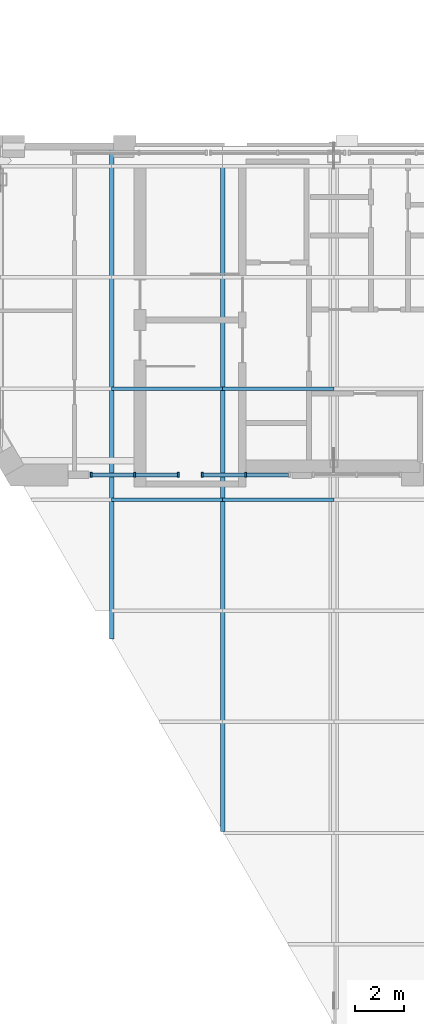
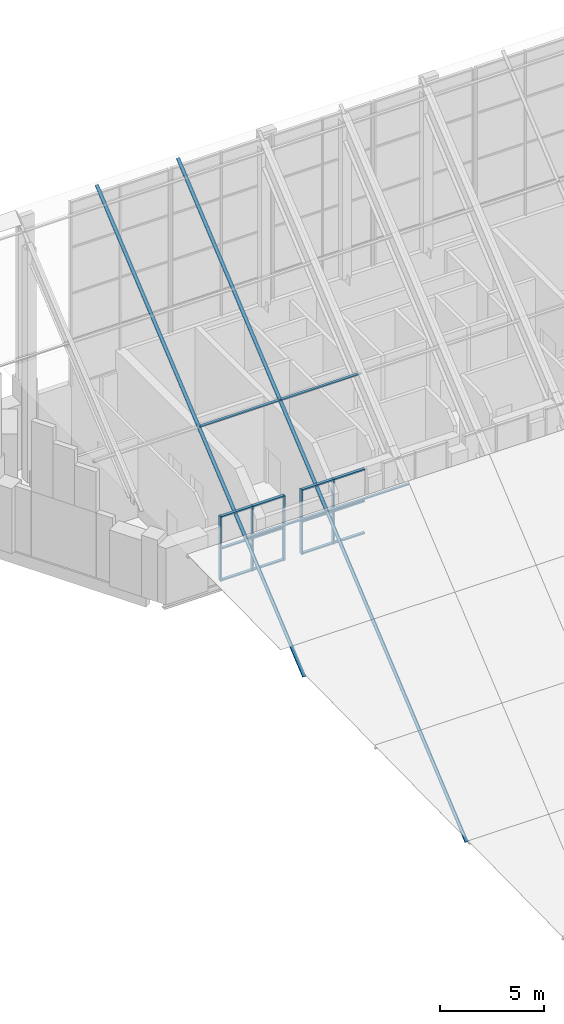
# One storey, part 2 of 19: 23 members, 4 elements without a shape of their own.
"""IFC4 building model written with IfcOpenShell, lengths in metres."""

import ifcopenshell
import ifcopenshell.guid

model = None  # the IFC model being written
_history = None  # IfcOwnerHistory: only IFC2X3 demands one
_inside = {}  # id of a spatial element -> (the spatial element, [elements in it])
_under = {}  # id of a project, library or spatial element -> (it, [spatial elements below it])
_declared = {}  # id of a project -> (the project, [libraries it declares])
_typed = {}  # id of a type object -> (the type object, [elements of that type])
_made_of = {}  # id of a material, layer set ... -> (it, [elements and type objects made of it])


def new_model(schema):
    """Start an empty IFC model of exactly this schema.

    Asked for "IFC4X3", IfcOpenShell would pick the latest addendum, in which some entities
    have other attributes; the version numbers below select the first issue.
    IFC2X3 requires an IfcOwnerHistory on every rooted entity: one is made here for all.
    """
    global model, _history
    if schema == "IFC4X3":
        model = ifcopenshell.file(schema_version=(4, 3, 0, 0))
    else:
        model = ifcopenshell.file(schema=schema)
    _inside.clear()
    _under.clear()
    _declared.clear()
    _typed.clear()
    _made_of.clear()
    _history = None
    if model.schema == "IFC2X3":
        org = make("IfcOrganization", Name="unknown")
        user = make(
            "IfcPersonAndOrganization",
            ThePerson=make("IfcPerson", FamilyName="unknown"),
            TheOrganization=org,
        )
        app = make(
            "IfcApplication",
            ApplicationDeveloper=org,
            Version="unknown",
            ApplicationFullName="unknown",
            ApplicationIdentifier="unknown",
        )
        _history = make(
            "IfcOwnerHistory",
            OwningUser=user,
            OwningApplication=app,
            ChangeAction="ADDED",
            CreationDate=0,
        )
    return model


def make(cls, **values):
    """One entity of the class cls with the attributes given. An attribute that is None is left unset."""
    return model.create_entity(
        cls, **{name: value for name, value in values.items() if value is not None}
    )


def rooted(cls, **values):
    """An entity with a GlobalId (a new one), such as an element, a storey or a relation."""
    return make(cls, GlobalId=ifcopenshell.guid.new(), OwnerHistory=_history, **values)


def si_unit(unit_type, name, prefix=None):
    """IfcSIUnit, for example si_unit("LENGTHUNIT", "METRE", prefix="MILLI")."""
    return make("IfcSIUnit", UnitType=unit_type, Prefix=prefix, Name=name)


def assignment(units):
    """IfcUnitAssignment: the units of a project."""
    return None if units is None else make("IfcUnitAssignment", Units=units)


def point(xyz):
    """IfcCartesianPoint."""
    return None if xyz is None else make("IfcCartesianPoint", Coordinates=xyz)


def direction(xyz):
    """IfcDirection."""
    return None if xyz is None else make("IfcDirection", DirectionRatios=xyz)


def frame(location, z_axis=None, x_axis=None):
    """IfcAxis2Placement3D, a coordinate frame: its origin and axes. An axis left out is left unset."""
    return make(
        "IfcAxis2Placement3D",
        Location=point(location),
        Axis=direction(z_axis),
        RefDirection=direction(x_axis),
    )


def frame_2d(location, x_axis=None):
    """IfcAxis2Placement2D, a coordinate frame in the plane: its origin and x axis."""
    return make(
        "IfcAxis2Placement2D", Location=point(location), RefDirection=direction(x_axis)
    )


def origin():
    """The frame at (0, 0, 0) with its axes left unset."""
    return frame((0.0, 0.0, 0.0))


def origin_2d():
    """The frame at (0, 0) in the plane with its x axis left unset."""
    return frame_2d((0.0, 0.0))


def place(relative_to, where):
    """IfcLocalPlacement: puts the frame where relative to a parent placement (None: the world)."""
    return make(
        "IfcLocalPlacement", PlacementRelTo=relative_to, RelativePlacement=where
    )


def context(
    kind, dimensions, precision=None, world=None, true_north=None, identifier=None
):
    """IfcGeometricRepresentationContext, for example the 3D "Model" context."""
    return make(
        "IfcGeometricRepresentationContext",
        ContextIdentifier=identifier,
        ContextType=kind,
        CoordinateSpaceDimension=dimensions,
        Precision=precision,
        WorldCoordinateSystem=world,
        TrueNorth=true_north,
    )


def subcontext(parent, identifier, kind, view, scale=None):
    """IfcGeometricRepresentationSubContext, for example "Body" below "Model"."""
    return make(
        "IfcGeometricRepresentationSubContext",
        ContextIdentifier=identifier,
        ContextType=kind,
        ParentContext=parent,
        TargetScale=scale,
        TargetView=view,
    )


def project(units=None, contexts=None):
    """IfcProject with its units and contexts."""
    return rooted(
        "IfcProject",
        Name="project",
        RepresentationContexts=contexts,
        UnitsInContext=assignment(units),
    )


def spatial(cls, under=None, at=None, **own):
    """A site, building, storey or space (cls), placed at a placement, below another one or the project."""
    s = rooted(cls, ObjectPlacement=at, **own)
    if under is not None:
        _under.setdefault(under.id(), (under, []))[1].append(s)
    return s


def profile(cls, at=None, kind="AREA", **sizes):
    """A parametric profile (cls). Its sizes go by their IFC names, for example OverallWidth=200.0."""
    return make(cls, ProfileType=kind, Position=at, **sizes)


def rectangle(**sizes):
    """IfcRectangleProfileDef."""
    return profile("IfcRectangleProfileDef", **sizes)


def extrude(swept, where, along, depth):
    """IfcExtrudedAreaSolid: the profile swept, set in the frame where, extruded along a direction by depth."""
    return make(
        "IfcExtrudedAreaSolid",
        SweptArea=swept,
        Position=where,
        ExtrudedDirection=direction(along),
        Depth=depth,
    )


def shape(context_of_items, identifier, shape_type, items):
    """IfcShapeRepresentation: the items that make up one representation, for example the "Body"."""
    return make(
        "IfcShapeRepresentation",
        ContextOfItems=context_of_items,
        RepresentationIdentifier=identifier,
        RepresentationType=shape_type,
        Items=items,
    )


def material(Name=None, Category=None):
    """IfcMaterial."""
    return make("IfcMaterial", Name=Name, Category=Category)


def material_profile(
    of_material, cross_section, Name=None, Category=None, Priority=None
):
    """IfcMaterialProfile: a cross section and its material."""
    return make(
        "IfcMaterialProfile",
        Name=Name,
        Material=of_material,
        Profile=cross_section,
        Priority=Priority,
        Category=Category,
    )


def profile_set(profiles, Name=None, composite=None):
    """IfcMaterialProfileSet."""
    return make(
        "IfcMaterialProfileSet",
        Name=Name,
        MaterialProfiles=profiles,
        CompositeProfile=composite,
    )


def made_of(thing, what):
    """Note that an element or type object is made of a material, layer set ...; save() writes the relation."""
    if what is not None:
        _made_of.setdefault(what.id(), (what, []))[1].append(thing)
    return thing


def type_object(cls, material=None, **own):
    """A type object (cls), such as IfcWallType, which elements share."""
    return made_of(rooted(cls, **own), material)


def element(
    cls,
    number,
    at=None,
    inside=None,
    cuts=None,
    type_object=None,
    material=None,
    context=None,
    identifier="Body",
    shape_type=None,
    held_by="IfcProductDefinitionShape",
    body=None,
    shapes=None,
    **own,
):
    """One element of the class cls, such as IfcWall. Its Tag is "e" and its number.

    at: its placement. inside: the storey or other place that contains it. cuts: it is an
    opening in that element (IfcRelVoidsElement). A single representation is given by context,
    identifier, shape_type and body (its items); several are given by shapes. held_by: the class
    of the entity that holds the representations. save() writes the other relations.
    """
    e = rooted(cls, Tag="e%d" % number, ObjectPlacement=at, **own)
    if body is not None:
        shapes = [shape(context, identifier, shape_type, body)]
    if shapes is not None:
        e.Representation = make(held_by, Representations=shapes)
    if inside is not None:
        _inside.setdefault(inside.id(), (inside, []))[1].append(e)
    if cuts is not None:
        rooted(
            "IfcRelVoidsElement", RelatingBuildingElement=cuts, RelatedOpeningElement=e
        )
    if type_object is not None:
        _typed.setdefault(type_object.id(), (type_object, []))[1].append(e)
    return made_of(e, material)


def aggregate(whole, parts):
    """IfcRelAggregates: a whole, such as a stair, and the parts it consists of."""
    return rooted("IfcRelAggregates", RelatingObject=whole, RelatedObjects=parts)


def save(model, path):
    """Write the relations noted so far, then the file.

    IfcRelAggregates (storeys below a building ...), IfcRelContainedInSpatialStructure (elements
    in a storey), IfcRelDefinesByType, IfcRelAssociatesMaterial and IfcRelDeclares: one each for
    every whole, place, type object, material and project.
    """
    for whole, parts in _under.values():
        aggregate(whole, parts)
    for where, things in _inside.values():
        rooted(
            "IfcRelContainedInSpatialStructure",
            RelatedElements=things,
            RelatingStructure=where,
        )
    for kind, things in _typed.values():
        rooted("IfcRelDefinesByType", RelatedObjects=things, RelatingType=kind)
    for what, things in _made_of.values():
        rooted("IfcRelAssociatesMaterial", RelatedObjects=things, RelatingMaterial=what)
    for by, libraries in _declared.values():
        rooted("IfcRelDeclares", RelatingContext=by, RelatedDefinitions=libraries)
    model.write(path)


model = new_model("IFC4")

# Units and contexts
model_context = context("Model", 3, precision=1e-05, world=origin(), true_north=direction((0.0, 1.0)))
body_context = subcontext(model_context, "Body", "Model", "MODEL_VIEW")
ifc_project = project(units=[si_unit("LENGTHUNIT", "METRE"), si_unit("AREAUNIT", "SQUARE_METRE"), si_unit("VOLUMEUNIT", "CUBIC_METRE"), si_unit("PLANEANGLEUNIT", "RADIAN"), si_unit("MASSUNIT", "GRAM", prefix="KILO")], contexts=[model_context])

# Site, building, storey
site_placement = place(None, origin())
site = spatial("IfcSite", under=ifc_project, at=site_placement, CompositionType="ELEMENT")
building_placement = place(site_placement, origin())
building = spatial("IfcBuilding", under=site, at=building_placement, Name="Calabash Gate Tower", CompositionType="ELEMENT")
storey_placement = place(building_placement, frame((0.0, 0.0, 335.5)))
storey = spatial("IfcBuildingStorey", under=building, at=storey_placement, Name="L78", CompositionType="ELEMENT", Elevation=335.5)

# Curtain wall, member
ifc_material_1 = material(Name="Anodised aluminium frame, bronze finish, clear laminated low-emissivity glazing", Category="aluminium")
curtain_wall_type_1 = type_object("IfcCurtainWallType", Name="Curtain wall CWC crown roof glazing", PredefinedType="NOTDEFINED", material=ifc_material_1)
curtain_wall_1_placement = place(storey_placement, origin())
curtain_wall_1 = element("IfcCurtainWall", 1, at=curtain_wall_1_placement, inside=storey, type_object=curtain_wall_type_1, Name="Curtain wall CWC roof glazing strip 3", PredefinedType="NOTDEFINED")
ifc_material_2 = material(Name="Anodised aluminium frame, bronze finish", Category="aluminium")
ifc_material_profile_1 = material_profile(ifc_material_2, rectangle(XDim=0.179931640625, YDim=0.06494140625, at=origin_2d()))
ifc_profile_set_1 = profile_set([ifc_material_profile_1], Name="Anodised aluminium frame, bronze finish")
member_type_1 = type_object("IfcMemberType", Name="Mullion CWC 65x180", PredefinedType="MULLION", material=ifc_profile_set_1)
member_1_placement = place(storey_placement, frame((-13.5, -0.8828125, -1.88671875), z_axis=(0.0, 0.766042966661, 0.642789369257), x_axis=(-1.0, 0.0, 0.0)))
member_1 = element("IfcMember", 2, at=member_1_placement, type_object=member_type_1, Name="CWC roof mullion 3.1", PredefinedType="MULLION", context=body_context, shape_type="SweptSolid", body=[
    extrude(rectangle(XDim=0.179931640625, YDim=0.06494140625, at=origin_2d()), origin(), (0.0, 0.0, 1.0), 26.023681640625),
])

curtain_wall_2_placement = place(storey_placement, origin())
curtain_wall_2 = element("IfcCurtainWall", 3, at=curtain_wall_2_placement, inside=storey, type_object=curtain_wall_type_1, Name="Curtain wall CWC roof glazing strip 4", PredefinedType="NOTDEFINED")
member_2_placement = place(storey_placement, frame((-9.0, -8.677001953125, -8.4267578125), z_axis=(0.0, 0.766044230935, 0.642787862557), x_axis=(-1.0, 0.0, 0.0)))
member_2 = element("IfcMember", 4, at=member_2_placement, type_object=member_type_1, Name="CWC roof mullion 4.1", PredefinedType="MULLION", context=body_context, shape_type="SweptSolid", body=[
    extrude(rectangle(XDim=0.179931640625, YDim=0.06494140625, at=origin_2d()), origin(), (0.0, 0.0, 1.0), 36.1982421875),
])

# Curtain wall, members
ifc_material_3 = material(Name="Anodised aluminium frame, bronze finish, clear laminated impact-rated glazing", Category="aluminium")
curtain_wall_type_2 = type_object("IfcCurtainWallType", Name="Curtain wall CWV crown wall", PredefinedType="NOTDEFINED", material=ifc_material_3)
curtain_wall_3_placement = place(storey_placement, origin())
curtain_wall_3 = element("IfcCurtainWall", 5, at=curtain_wall_3_placement, inside=storey, type_object=curtain_wall_type_2, Name="Curtain wall CWV L78 crown1.1", PredefinedType="NOTDEFINED")
ifc_material_4 = material(Name="Anodised aluminium frame, bronze finish", Category="aluminium")
ifc_material_profile_2 = material_profile(ifc_material_4, rectangle(XDim=0.199951171875, YDim=0.074951171875, at=origin_2d()))
ifc_profile_set_2 = profile_set([ifc_material_profile_2], Name="Anodised aluminium frame, bronze finish")
member_type_2 = type_object("IfcMemberType", Name="Mullion CWV 75x200", PredefinedType="MULLION", material=ifc_profile_set_2)
member_3_placement = place(storey_placement, frame((-14.32666015625, 5.75439453125, 0.0), z_axis=(0.0, 0.0, 1.0), x_axis=(0.0, 1.0, 0.0)))
member_3 = element("IfcMember", 6, at=member_3_placement, type_object=member_type_2, Name="CWV mullion 1", PredefinedType="MULLION", context=body_context, shape_type="SweptSolid", body=[
    extrude(rectangle(XDim=0.199951171875, YDim=0.074951171875, at=origin_2d()), origin(), (0.0, 0.0, 1.0), 3.800048828125),
])
member_4_placement = place(storey_placement, frame((-12.56396484375, 5.75439453125, 0.0), z_axis=(0.0, 0.0, 1.0), x_axis=(0.0, 1.0, 0.0)))
member_4 = element("IfcMember", 7, at=member_4_placement, type_object=member_type_2, Name="CWV mullion 2", PredefinedType="MULLION", context=body_context, shape_type="SweptSolid", body=[
    extrude(rectangle(XDim=0.199951171875, YDim=0.074951171875, at=origin_2d()), origin(), (0.0, 0.0, 1.0), 3.800048828125),
])
member_5_placement = place(storey_placement, frame((-10.801513671875, 5.75439453125, 0.0), z_axis=(0.0, 0.0, 1.0), x_axis=(0.0, 1.0, 0.0)))
member_5 = element("IfcMember", 8, at=member_5_placement, type_object=member_type_2, Name="CWV mullion 3", PredefinedType="MULLION", context=body_context, shape_type="SweptSolid", body=[
    extrude(rectangle(XDim=0.199951171875, YDim=0.074951171875, at=origin_2d()), origin(), (0.0, 0.0, 1.0), 3.800048828125),
])

curtain_wall_4_placement = place(storey_placement, origin())
curtain_wall_4 = element("IfcCurtainWall", 9, at=curtain_wall_4_placement, inside=storey, type_object=curtain_wall_type_2, Name="Curtain wall CWV L78 crown1.2", PredefinedType="NOTDEFINED")
member_6_placement = place(storey_placement, frame((-9.82666015625, 5.75439453125, 0.0), z_axis=(0.0, 0.0, 1.0), x_axis=(0.0, 1.0, 0.0)))
member_6 = element("IfcMember", 10, at=member_6_placement, type_object=member_type_2, Name="CWV mullion 1", PredefinedType="MULLION", context=body_context, shape_type="SweptSolid", body=[
    extrude(rectangle(XDim=0.199951171875, YDim=0.074951171875, at=origin_2d()), origin(), (0.0, 0.0, 1.0), 3.800048828125),
])
member_7_placement = place(storey_placement, frame((-8.06396484375, 5.75439453125, 0.0), z_axis=(0.0, 0.0, 1.0), x_axis=(0.0, 1.0, 0.0)))
member_7 = element("IfcMember", 11, at=member_7_placement, type_object=member_type_2, Name="CWV mullion 2", PredefinedType="MULLION", context=body_context, shape_type="SweptSolid", body=[
    extrude(rectangle(XDim=0.199951171875, YDim=0.074951171875, at=origin_2d()), origin(), (0.0, 0.0, 1.0), 3.800048828125),
])

# Member
ifc_material_5 = material(Name="Anodised aluminium frame, bronze finish", Category="aluminium")
ifc_material_profile_3 = material_profile(ifc_material_5, rectangle(XDim=0.139892578125, YDim=0.06494140625, at=origin_2d()))
ifc_profile_set_3 = profile_set([ifc_material_profile_3], Name="Anodised aluminium frame, bronze finish")
member_type_3 = type_object("IfcMemberType", Name="Transom CWC 65x140", PredefinedType="USERDEFINED", material=ifc_profile_set_3)
member_8_placement = place(storey_placement, frame((-13.5, 4.748046875, 2.838134765625), z_axis=(1.0, 0.0, 0.0), x_axis=(0.0, 1.0, 0.0)))
member_8 = element("IfcMember", 12, at=member_8_placement, type_object=member_type_3, Name="CWC roof transom 3.3", ObjectType="TRANSOM", PredefinedType="USERDEFINED", context=body_context, shape_type="SweptSolid", body=[
    extrude(rectangle(XDim=0.139892578125, YDim=0.06494140625, at=origin_2d()), origin(), (0.0, 0.0, 1.0), 4.5),
])

member_9_placement = place(storey_placement, frame((-13.5, 9.248046875, 6.6142578125), z_axis=(1.0, 0.0, 0.0), x_axis=(0.0, 1.0, 0.0)))
member_9 = element("IfcMember", 13, at=member_9_placement, type_object=member_type_3, Name="CWC roof transom 3.4", ObjectType="TRANSOM", PredefinedType="USERDEFINED", context=body_context, shape_type="SweptSolid", body=[
    extrude(rectangle(XDim=0.139892578125, YDim=0.06494140625, at=origin_2d()), origin(), (0.0, 0.0, 1.0), 4.5),
])

aggregate(curtain_wall_1, [member_1, member_8, member_9])

member_10_placement = place(storey_placement, frame((-9.0, 4.748046875, 2.838134765625), z_axis=(1.0, 0.0, 0.0), x_axis=(0.0, 1.0, 0.0)))
member_10 = element("IfcMember", 14, at=member_10_placement, type_object=member_type_3, Name="CWC roof transom 4.5", ObjectType="TRANSOM", PredefinedType="USERDEFINED", context=body_context, shape_type="SweptSolid", body=[
    extrude(rectangle(XDim=0.139892578125, YDim=0.06494140625, at=origin_2d()), origin(), (0.0, 0.0, 1.0), 4.5),
])

member_11_placement = place(storey_placement, frame((-9.0, 9.248046875, 6.6142578125), z_axis=(1.0, 0.0, 0.0), x_axis=(0.0, 1.0, 0.0)))
member_11 = element("IfcMember", 15, at=member_11_placement, type_object=member_type_3, Name="CWC roof transom 4.6", ObjectType="TRANSOM", PredefinedType="USERDEFINED", context=body_context, shape_type="SweptSolid", body=[
    extrude(rectangle(XDim=0.139892578125, YDim=0.06494140625, at=origin_2d()), origin(), (0.0, 0.0, 1.0), 4.5),
])

aggregate(curtain_wall_2, [member_2, member_10, member_11])

ifc_material_6 = material(Name="Anodised aluminium frame, bronze finish", Category="aluminium")
ifc_material_profile_4 = material_profile(ifc_material_6, rectangle(XDim=0.159912109375, YDim=0.074951171875, at=origin_2d()))
ifc_profile_set_4 = profile_set([ifc_material_profile_4], Name="Anodised aluminium frame, bronze finish")
member_type_4 = type_object("IfcMemberType", Name="Transom CWV 75x160", PredefinedType="USERDEFINED", material=ifc_profile_set_4)
member_12_placement = place(storey_placement, frame((-14.2890625, 5.75439453125, 0.03759765625), z_axis=(1.0, 0.0, 0.0), x_axis=(0.0, 1.0, 0.0)))
member_12 = element("IfcMember", 16, at=member_12_placement, type_object=member_type_4, Name="CWV transom 1.1", ObjectType="TRANSOM", PredefinedType="USERDEFINED", context=body_context, shape_type="SweptSolid", body=[
    extrude(rectangle(XDim=0.159912109375, YDim=0.074951171875, at=origin_2d()), origin(), (0.0, 0.0, 1.0), 1.6875),
])

member_13_placement = place(storey_placement, frame((-14.2890625, 5.75439453125, 1.89990234375), z_axis=(1.0, 0.0, 0.0), x_axis=(0.0, 1.0, 0.0)))
member_13 = element("IfcMember", 17, at=member_13_placement, type_object=member_type_4, Name="CWV transom 1.2", ObjectType="TRANSOM", PredefinedType="USERDEFINED", context=body_context, shape_type="SweptSolid", body=[
    extrude(rectangle(XDim=0.159912109375, YDim=0.074951171875, at=origin_2d()), origin(), (0.0, 0.0, 1.0), 1.6875),
])

member_14_placement = place(storey_placement, frame((-14.2890625, 5.75439453125, 3.762451171875), z_axis=(1.0, 0.0, 0.0), x_axis=(0.0, 1.0, 0.0)))
member_14 = element("IfcMember", 18, at=member_14_placement, type_object=member_type_4, Name="CWV transom 1.3", ObjectType="TRANSOM", PredefinedType="USERDEFINED", context=body_context, shape_type="SweptSolid", body=[
    extrude(rectangle(XDim=0.159912109375, YDim=0.074951171875, at=origin_2d()), origin(), (0.0, 0.0, 1.0), 1.6875),
])

member_15_placement = place(storey_placement, frame((-12.526611328125, 5.75439453125, 0.03759765625), z_axis=(1.0, 0.0, 0.0), x_axis=(0.0, 1.0, 0.0)))
member_15 = element("IfcMember", 19, at=member_15_placement, type_object=member_type_4, Name="CWV transom 2.1", ObjectType="TRANSOM", PredefinedType="USERDEFINED", context=body_context, shape_type="SweptSolid", body=[
    extrude(rectangle(XDim=0.159912109375, YDim=0.074951171875, at=origin_2d()), origin(), (0.0, 0.0, 1.0), 1.6875),
])

member_16_placement = place(storey_placement, frame((-12.526611328125, 5.75439453125, 1.89990234375), z_axis=(1.0, 0.0, 0.0), x_axis=(0.0, 1.0, 0.0)))
member_16 = element("IfcMember", 20, at=member_16_placement, type_object=member_type_4, Name="CWV transom 2.2", ObjectType="TRANSOM", PredefinedType="USERDEFINED", context=body_context, shape_type="SweptSolid", body=[
    extrude(rectangle(XDim=0.159912109375, YDim=0.074951171875, at=origin_2d()), origin(), (0.0, 0.0, 1.0), 1.6875),
])

member_17_placement = place(storey_placement, frame((-12.526611328125, 5.75439453125, 3.762451171875), z_axis=(1.0, 0.0, 0.0), x_axis=(0.0, 1.0, 0.0)))
member_17 = element("IfcMember", 21, at=member_17_placement, type_object=member_type_4, Name="CWV transom 2.3", ObjectType="TRANSOM", PredefinedType="USERDEFINED", context=body_context, shape_type="SweptSolid", body=[
    extrude(rectangle(XDim=0.159912109375, YDim=0.074951171875, at=origin_2d()), origin(), (0.0, 0.0, 1.0), 1.6875),
])

aggregate(curtain_wall_3, [member_3, member_4, member_5, member_12, member_13, member_14, member_15, member_16, member_17])

member_18_placement = place(storey_placement, frame((-9.7890625, 5.75439453125, 0.03759765625), z_axis=(1.0, 0.0, 0.0), x_axis=(0.0, 1.0, 0.0)))
member_18 = element("IfcMember", 22, at=member_18_placement, type_object=member_type_4, Name="CWV transom 1.1", ObjectType="TRANSOM", PredefinedType="USERDEFINED", context=body_context, shape_type="SweptSolid", body=[
    extrude(rectangle(XDim=0.159912109375, YDim=0.074951171875, at=origin_2d()), origin(), (0.0, 0.0, 1.0), 1.6875),
])

member_19_placement = place(storey_placement, frame((-9.7890625, 5.75439453125, 1.89990234375), z_axis=(1.0, 0.0, 0.0), x_axis=(0.0, 1.0, 0.0)))
member_19 = element("IfcMember", 23, at=member_19_placement, type_object=member_type_4, Name="CWV transom 1.2", ObjectType="TRANSOM", PredefinedType="USERDEFINED", context=body_context, shape_type="SweptSolid", body=[
    extrude(rectangle(XDim=0.159912109375, YDim=0.074951171875, at=origin_2d()), origin(), (0.0, 0.0, 1.0), 1.6875),
])

member_20_placement = place(storey_placement, frame((-9.7890625, 5.75439453125, 3.762451171875), z_axis=(1.0, 0.0, 0.0), x_axis=(0.0, 1.0, 0.0)))
member_20 = element("IfcMember", 24, at=member_20_placement, type_object=member_type_4, Name="CWV transom 1.3", ObjectType="TRANSOM", PredefinedType="USERDEFINED", context=body_context, shape_type="SweptSolid", body=[
    extrude(rectangle(XDim=0.159912109375, YDim=0.074951171875, at=origin_2d()), origin(), (0.0, 0.0, 1.0), 1.6875),
])

member_21_placement = place(storey_placement, frame((-8.026611328125, 5.75439453125, 0.03759765625), z_axis=(1.0, 0.0, 0.0), x_axis=(0.0, 1.0, 0.0)))
member_21 = element("IfcMember", 25, at=member_21_placement, type_object=member_type_4, Name="CWV transom 2.1", ObjectType="TRANSOM", PredefinedType="USERDEFINED", context=body_context, shape_type="SweptSolid", body=[
    extrude(rectangle(XDim=0.159912109375, YDim=0.074951171875, at=origin_2d()), origin(), (0.0, 0.0, 1.0), 1.6875),
])

member_22_placement = place(storey_placement, frame((-8.026611328125, 5.75439453125, 1.89990234375), z_axis=(1.0, 0.0, 0.0), x_axis=(0.0, 1.0, 0.0)))
member_22 = element("IfcMember", 26, at=member_22_placement, type_object=member_type_4, Name="CWV transom 2.2", ObjectType="TRANSOM", PredefinedType="USERDEFINED", context=body_context, shape_type="SweptSolid", body=[
    extrude(rectangle(XDim=0.159912109375, YDim=0.074951171875, at=origin_2d()), origin(), (0.0, 0.0, 1.0), 1.6875),
])

member_23_placement = place(storey_placement, frame((-8.026611328125, 5.75439453125, 3.762451171875), z_axis=(1.0, 0.0, 0.0), x_axis=(0.0, 1.0, 0.0)))
member_23 = element("IfcMember", 27, at=member_23_placement, type_object=member_type_4, Name="CWV transom 2.3", ObjectType="TRANSOM", PredefinedType="USERDEFINED", context=body_context, shape_type="SweptSolid", body=[
    extrude(rectangle(XDim=0.159912109375, YDim=0.074951171875, at=origin_2d()), origin(), (0.0, 0.0, 1.0), 1.6875),
])

aggregate(curtain_wall_4, [member_6, member_7, member_18, member_19, member_20, member_21, member_22, member_23])

save(model, "model.ifc")
